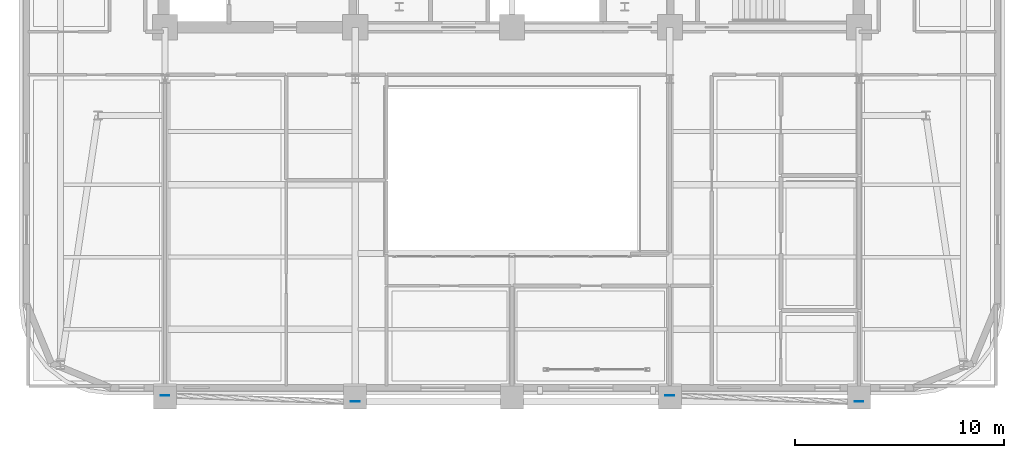
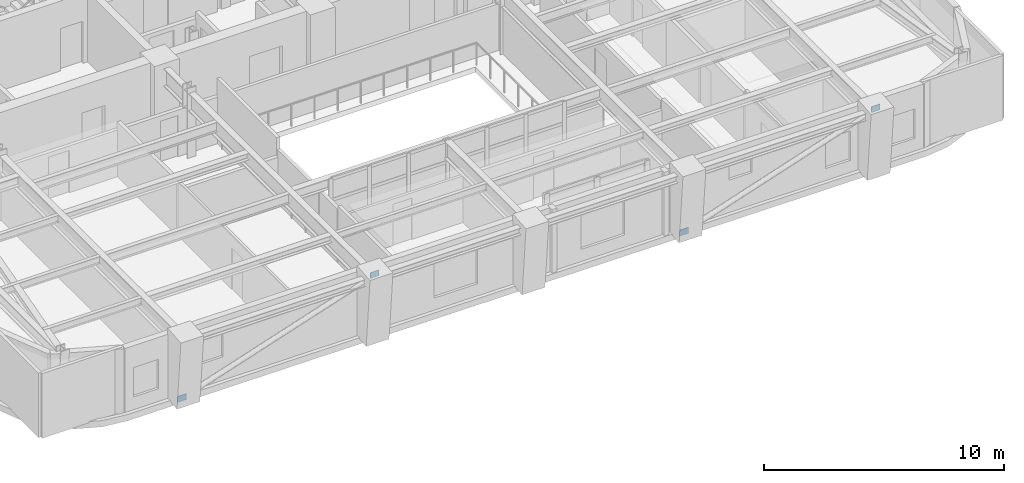
# One storey, part 5 of 13: 4 plates.
"""IFC4 building model written with IfcOpenShell, lengths in metres."""

from ifc_helpers import new_model, si_unit, direction, frame, origin, origin_2d, place, context, subcontext, project, spatial, rectangle, extrude, material, layer, layer_set, type_object, element, save


model = new_model("IFC4")

# Units and contexts
model_context = context("Model", 3, precision=1e-05, world=origin(), true_north=direction((0.0, 1.0)))
body_context = subcontext(model_context, "Body", "Model", "MODEL_VIEW")
ifc_project = project(units=[si_unit("LENGTHUNIT", "METRE"), si_unit("AREAUNIT", "SQUARE_METRE"), si_unit("VOLUMEUNIT", "CUBIC_METRE"), si_unit("PLANEANGLEUNIT", "RADIAN"), si_unit("MASSUNIT", "GRAM", prefix="KILO")], contexts=[model_context])

# Site, building, storey
site_placement = place(None, origin())
site = spatial("IfcSite", under=ifc_project, at=site_placement, CompositionType="ELEMENT")
building_placement = place(site_placement, origin())
building = spatial("IfcBuilding", under=site, at=building_placement, Name="Zarnavel Station Tower", CompositionType="ELEMENT")
storey_placement = place(building_placement, frame((0.0, 0.0, 176.75)))
storey = spatial("IfcBuildingStorey", under=building, at=storey_placement, Name="L48", CompositionType="ELEMENT", Elevation=176.75)

# Plates
ifc_material = material(Name="Steel S460M", Category="steel")
ifc_layer = layer(ifc_material, 0.02490234375)
ifc_layer_set = layer_set([ifc_layer], Name="GP_GUSSET_25")
plate_type = type_object("IfcPlateType", Name="GP_GUSSET_25", PredefinedType="USERDEFINED", material=ifc_layer_set)
for number, where, z_axis, x_axis, name in (
    (1, (12.199951171875, 10.2109375, -0.14990234375), (0.0, 0.0, 1.0), (1.0, 0.0, 0.0), "L48 Exterior Diagonal Brace End Gusset 1-1"),
    (2, (21.300048828125, 9.912841796875, 3.14013671875), (0.0, 0.0, 1.0), (1.0, 0.0, 0.0), "L48 Exterior Diagonal Brace End Gusset 1-2"),
    (3, (36.35009765625, 10.2109375, -0.14990234375), (0.0, 0.0, 1.0), (1.0, 0.0, 0.0), "L48 Exterior Diagonal Brace End Gusset 2-1"),
    (4, (45.39990234375, 9.912841796875, 3.14013671875), (0.0, 0.0, 1.0), (1.0, 0.0, 0.0), "L48 Exterior Diagonal Brace End Gusset 2-2"),
):
    element("IfcPlate", number, at=place(storey_placement, frame(where, z_axis=z_axis, x_axis=x_axis)), inside=storey, type_object=plate_type, Name=name, ObjectType="GUSSET_PLATE", PredefinedType="USERDEFINED", context=body_context, shape_type="SweptSolid", body=[
        extrude(rectangle(XDim=0.419921875, YDim=0.02490234375, at=origin_2d()), origin(), (0.0, 0.0, 1.0), 0.300048828125),
    ])

save(model, "model.ifc")
